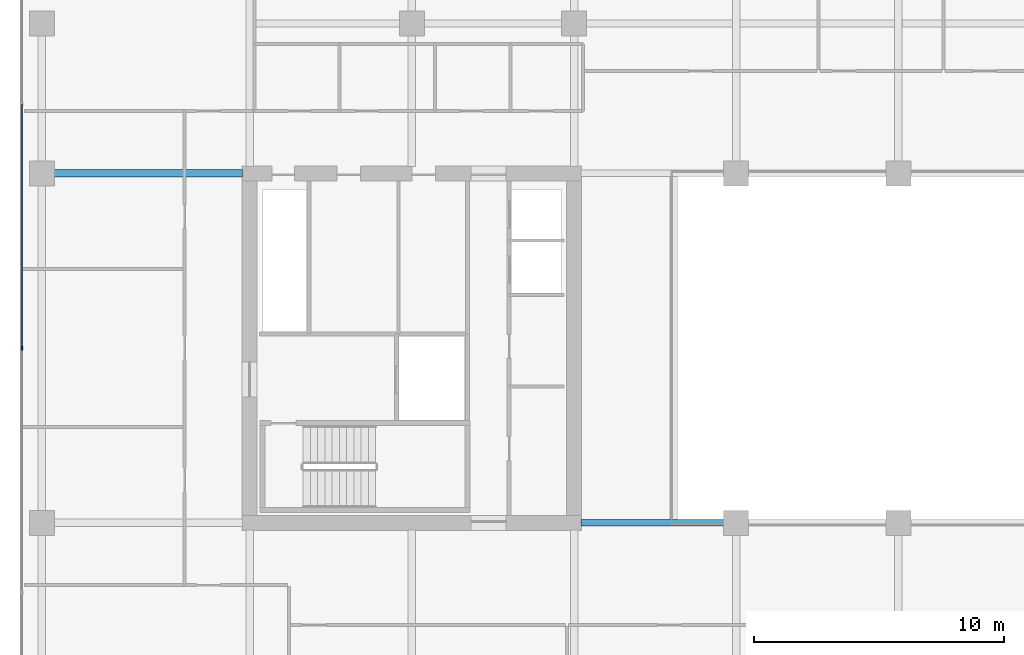
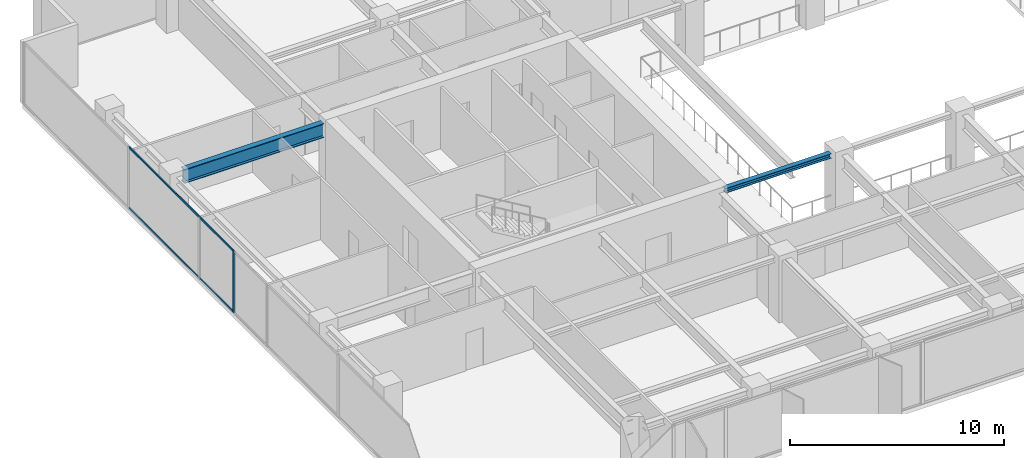
# One storey, part 4 of 22: 3 members, 2 beams, 1 element without a shape of its own.
"""IFC4 building model written with IfcOpenShell, lengths in metres."""

from ifc_helpers import new_model, si_unit, direction, frame, origin, origin_2d, place, context, subcontext, project, spatial, rectangle, i_section, extrude, material, layer, layer_set, material_profile, profile_set, type_object, element, aggregate, save


model = new_model("IFC4")

# Units and contexts
model_context = context("Model", 3, precision=1e-05, world=origin(), true_north=direction((0.0, 1.0)))
body_context = subcontext(model_context, "Body", "Model", "MODEL_VIEW")
ifc_project = project(units=[si_unit("LENGTHUNIT", "METRE"), si_unit("AREAUNIT", "SQUARE_METRE"), si_unit("VOLUMEUNIT", "CUBIC_METRE"), si_unit("PLANEANGLEUNIT", "RADIAN"), si_unit("MASSUNIT", "GRAM", prefix="KILO")], contexts=[model_context])

# Site, building, storey
site_placement = place(None, origin())
site = spatial("IfcSite", under=ifc_project, at=site_placement, CompositionType="ELEMENT")
building_placement = place(site_placement, origin())
building = spatial("IfcBuilding", under=site, at=building_placement, Name="Putna Gate Headquarters", CompositionType="ELEMENT")
storey_placement = place(building_placement, frame((0.0, 0.0, 193.60009765625)))
storey = spatial("IfcBuildingStorey", under=building, at=storey_placement, Name="L48", CompositionType="ELEMENT", Elevation=193.60009765625)

# Beams
ifc_material_1 = material(Name="Steel S355J2", Category="steel")
ifc_material_profile_1 = material_profile(ifc_material_1, i_section(OverallWidth=0.260009765625, OverallDepth=0.260009765625, WebThickness=0.010009765625, FlangeThickness=0.017578125, at=origin_2d()), Name="Steel S355J2")
ifc_profile_set_1 = profile_set([ifc_material_profile_1], Name="Steel S355J2")
beam_type_1 = type_object("IfcBeamType", Name="BM-ATRIUM-HEB260", PredefinedType="BEAM", material=ifc_profile_set_1)
beam_1_placement = place(storey_placement, frame((26.284912109375, 19.0, 3.389892578125), z_axis=(1.0, 0.0, 0.0), x_axis=(0.0, 1.0, 0.0)))
element("IfcBeam", 1, at=beam_1_placement, inside=storey, type_object=beam_type_1, Name="L48 Atrium Edge Beam AS1", PredefinedType="BEAM", context=body_context, shape_type="SweptSolid", body=[
    extrude(i_section(OverallWidth=0.260009765625, OverallDepth=0.260009765625, WebThickness=0.010009765625, FlangeThickness=0.017578125, at=origin_2d()), origin(), (0.0, 0.0, 1.0), 5.72705078125),
])
ifc_material_profile_2 = material_profile(ifc_material_1, i_section(OverallWidth=0.300048828125, OverallDepth=0.800048828125, WebThickness=0.017578125, FlangeThickness=0.032958984375, at=origin_2d()), Name="Steel S355J2")
ifc_profile_set_2 = profile_set([ifc_material_profile_2], Name="Steel S355J2")
beam_type_2 = type_object("IfcBeamType", Name="BM-GIRD-P-HEB800", PredefinedType="USERDEFINED", material=ifc_profile_set_2)
beam_2_placement = place(storey_placement, frame((5.16796875, 33.0, 3.119873046875), z_axis=(1.0, 0.0, 0.0), x_axis=(0.0, 1.0, 0.0)))
element("IfcBeam", 2, at=beam_2_placement, inside=storey, type_object=beam_type_2, Name="L48 West Wing Girder Y33", ObjectType="GIRDER", PredefinedType="USERDEFINED", context=body_context, shape_type="SweptSolid", body=[
    extrude(i_section(OverallWidth=0.300048828125, OverallDepth=0.800048828125, WebThickness=0.017578125, FlangeThickness=0.032958984375, at=origin_2d()), origin(), (0.0, 0.0, 1.0), 7.547119140625),
])

# Curtain wall, members
ifc_material_2 = material(Name="Anodised bronze aluminium curtain wall", Category="aluminium")
ifc_layer = layer(ifc_material_2, 0.159912109375)
ifc_layer_set = layer_set([ifc_layer], Name="Anodised bronze aluminium curtain wall")
curtain_wall_type = type_object("IfcCurtainWallType", Name="CW-SYS-Z3", PredefinedType="USERDEFINED", material=ifc_layer_set)
curtain_wall_placement = place(storey_placement, origin())
curtain_wall = element("IfcCurtainWall", 3, at=curtain_wall_placement, inside=storey, type_object=curtain_wall_type, Name="L48 West Curtain Wall", ObjectType="STICK CURTAIN WALL", PredefinedType="USERDEFINED")
ifc_material_3 = material(Name="Anodised bronze aluminium EN AW-6060", Category="aluminium")
ifc_material_profile_3 = material_profile(ifc_material_3, rectangle(XDim=0.06494140625, YDim=0.159912109375, at=origin_2d()), Name="Anodised bronze aluminium EN AW-6060")
ifc_profile_set_3 = profile_set([ifc_material_profile_3], Name="Anodised bronze aluminium EN AW-6060")
member_type_1 = type_object("IfcMemberType", Name="MULL-CWM-3", PredefinedType="MULLION", material=ifc_profile_set_3)
member_1_placement = place(storey_placement, frame((3.8798828125, 26.0, 0.0), z_axis=(0.0, 0.0, 1.0), x_axis=(-1.0, 0.0, 0.0)))
member_1 = element("IfcMember", 4, at=member_1_placement, type_object=member_type_1, Name="CWS-3 mullion 3", PredefinedType="MULLION", context=body_context, shape_type="SweptSolid", body=[
    extrude(rectangle(XDim=0.06494140625, YDim=0.159912109375, at=origin_2d()), origin(), (0.0, 0.0, 1.0), 3.52001953125),
])
ifc_material_profile_4 = material_profile(ifc_material_3, rectangle(XDim=0.06005859375, YDim=0.10009765625, at=origin_2d()), Name="Anodised bronze aluminium EN AW-6060")
ifc_profile_set_4 = profile_set([ifc_material_profile_4], Name="Anodised bronze aluminium EN AW-6060")
member_type_2 = type_object("IfcMemberType", Name="TRAN-CWT-3", PredefinedType="USERDEFINED", material=ifc_profile_set_4)
member_2_placement = place(storey_placement, frame((3.8798828125, 26.032470703125, 0.02978515625), z_axis=(0.0, 1.0, 0.0), x_axis=(-1.0, 0.0, 0.0)))
member_2 = element("IfcMember", 5, at=member_2_placement, type_object=member_type_2, Name="CWS-3 transom 3.1", ObjectType="TRANSOM", PredefinedType="USERDEFINED", context=body_context, shape_type="SweptSolid", body=[
    extrude(rectangle(XDim=0.06005859375, YDim=0.10009765625, at=origin_2d()), origin(), (0.0, 0.0, 1.0), 9.735107421875),
])
member_3_placement = place(storey_placement, frame((3.8798828125, 26.032470703125, 3.489990234375), z_axis=(0.0, 1.0, 0.0), x_axis=(-1.0, 0.0, 0.0)))
member_3 = element("IfcMember", 6, at=member_3_placement, type_object=member_type_2, Name="CWS-3 transom 3.2", ObjectType="TRANSOM", PredefinedType="USERDEFINED", context=body_context, shape_type="SweptSolid", body=[
    extrude(rectangle(XDim=0.06005859375, YDim=0.10009765625, at=origin_2d()), origin(), (0.0, 0.0, 1.0), 9.735107421875),
])
aggregate(curtain_wall, [member_1, member_2, member_3])

save(model, "model.ifc")
